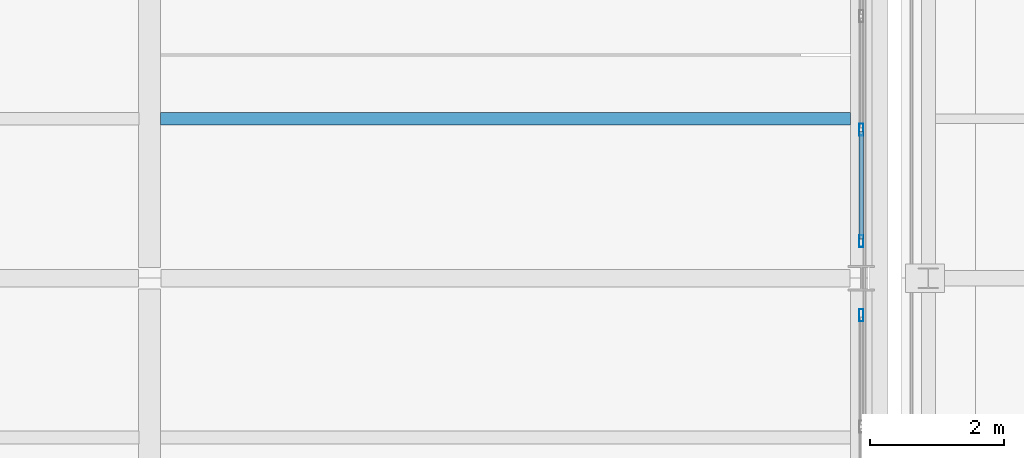
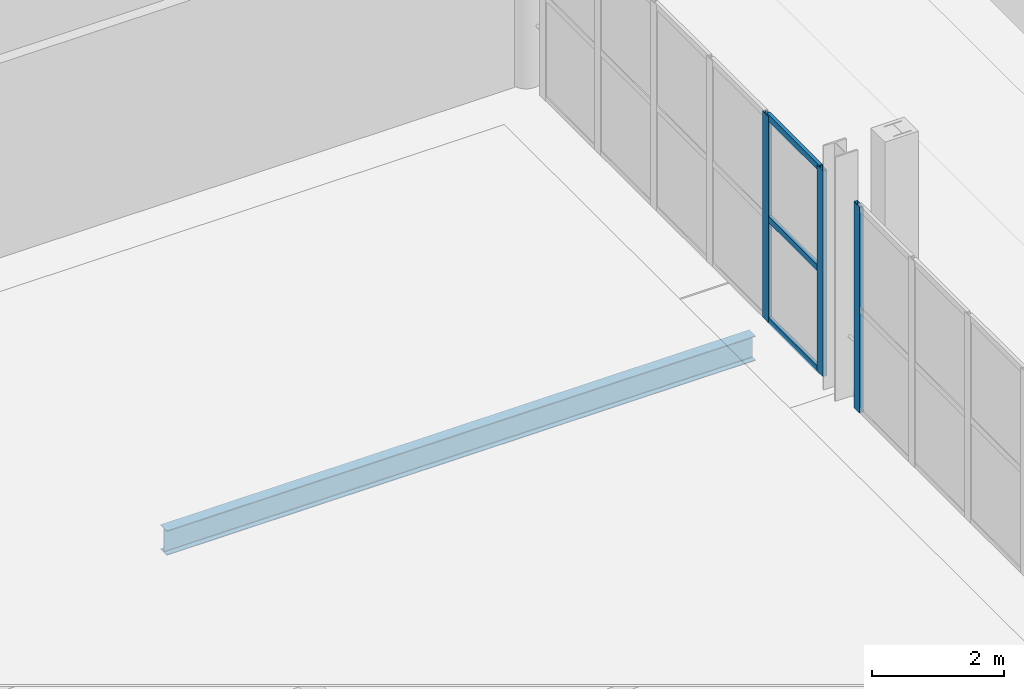
# One storey, part 90 of 156: 6 members, 1 beam, 2 elements without a shape of their own.
"""IFC4 building model written with IfcOpenShell, lengths in metres."""

from ifc_helpers import new_model, si_unit, direction, frame, origin, origin_2d, place, context, subcontext, project, spatial, hollow_rectangle, i_section, extrude, material, material_profile, profile_set, type_object, element, aggregate, save


model = new_model("IFC4")

# Units and contexts
model_context = context("Model", 3, precision=1e-05, world=origin(), true_north=direction((0.0, 1.0)))
body_context = subcontext(model_context, "Body", "Model", "MODEL_VIEW")
ifc_project = project(units=[si_unit("LENGTHUNIT", "METRE"), si_unit("AREAUNIT", "SQUARE_METRE"), si_unit("VOLUMEUNIT", "CUBIC_METRE"), si_unit("PLANEANGLEUNIT", "RADIAN"), si_unit("MASSUNIT", "GRAM", prefix="KILO")], contexts=[model_context])

# Site, building, storey
site_placement = place(None, origin())
site = spatial("IfcSite", under=ifc_project, at=site_placement, CompositionType="ELEMENT")
building_placement = place(site_placement, origin())
building = spatial("IfcBuilding", under=site, at=building_placement, Name="Caurita Quay Ferry Terminal", CompositionType="ELEMENT")
storey_placement = place(building_placement, frame((0.0, 0.0, 5.39990234375)))
storey = spatial("IfcBuildingStorey", under=building, at=storey_placement, Name="L01", CompositionType="ELEMENT", Elevation=5.39990234375)

# Beam
ifc_material_1 = material(Name="Structural steel ASTM A992 Gr. 50", Category="steel")
ifc_material_profile_1 = material_profile(ifc_material_1, i_section(OverallWidth=0.1904296875, OverallDepth=0.457275390625, WebThickness=0.009033203125, FlangeThickness=0.014404296875, FilletRadius=0.0126953125, at=origin_2d()), Name="W18X50")
ifc_profile_set_1 = profile_set([ifc_material_profile_1], Name="Structural steel ASTM A992 Gr. 50")
beam_type = type_object("IfcBeamType", Name="BM-JS-W18B", PredefinedType="JOIST", material=ifc_profile_set_1)
beam_placement = place(storey_placement, frame((121.362548828125, 55.574951171875, -0.528564453125), z_axis=(1.0, 0.0, 0.0), x_axis=(0.0, 1.0, 0.0)))
element("IfcBeam", 1, at=beam_placement, inside=storey, type_object=beam_type, Name="L01 Beam JS-V2-L01-037", PredefinedType="JOIST", context=body_context, shape_type="SweptSolid", body=[
    extrude(i_section(OverallWidth=0.1904296875, OverallDepth=0.457275390625, WebThickness=0.009033203125, FlangeThickness=0.014404296875, FilletRadius=0.0126953125, at=origin_2d()), origin(), (0.0, 0.0, 1.0), 10.27490234375),
])

# Curtain wall, member
ifc_material_2 = material(Name="Laminated solar-control insulated glass", Category="glass")
curtain_wall_type = type_object("IfcCurtainWallType", Name="CW-SYS-12", PredefinedType="NOTDEFINED", material=ifc_material_2)
curtain_wall_1_placement = place(storey_placement, origin())
curtain_wall_1 = element("IfcCurtainWall", 2, at=curtain_wall_1_placement, inside=storey, type_object=curtain_wall_type, Name="Concourse Gable Curtain Wall 087", PredefinedType="NOTDEFINED")
ifc_material_3 = material(Name="Anodized aluminium 6063-T6", Category="aluminium")
ifc_material_profile_2 = material_profile(ifc_material_3, hollow_rectangle(XDim=0.06494140625, YDim=0.179931640625, WallThickness=0.00390625, at=origin_2d()), Name="ALU-MUL-65X180")
ifc_profile_set_2 = profile_set([ifc_material_profile_2], Name="Anodized aluminium 6063-T6")
member_type_1 = type_object("IfcMemberType", Name="CW-MUL-180", PredefinedType="MULLION", material=ifc_profile_set_2)
member_1_placement = place(storey_placement, frame((131.800048828125, 52.6474609375, 0.0), z_axis=(0.0, 0.0, 1.0), x_axis=(-1.0, 0.0, 0.0)))
member_1 = element("IfcMember", 3, at=member_1_placement, type_object=member_type_1, Name="CW-GBL-087 Mullion 6", PredefinedType="MULLION", context=body_context, shape_type="SweptSolid", body=[
    extrude(hollow_rectangle(XDim=0.06494140625, YDim=0.179931640625, WallThickness=0.00390625, at=origin_2d()), origin(), (0.0, 0.0, 1.0), 3.800048828125),
])
aggregate(curtain_wall_1, [member_1])

# Curtain wall, members
curtain_wall_2_placement = place(storey_placement, origin())
curtain_wall_2 = element("IfcCurtainWall", 4, at=curtain_wall_2_placement, inside=storey, type_object=curtain_wall_type, Name="Concourse Gable Curtain Wall 088", PredefinedType="NOTDEFINED")
member_2_placement = place(storey_placement, frame((131.800048828125, 53.75244140625, 0.0), z_axis=(0.0, 0.0, 1.0), x_axis=(-1.0, 0.0, 0.0)))
member_2 = element("IfcMember", 5, at=member_2_placement, type_object=member_type_1, Name="CW-GBL-088 Mullion 1", PredefinedType="MULLION", context=body_context, shape_type="SweptSolid", body=[
    extrude(hollow_rectangle(XDim=0.06494140625, YDim=0.179931640625, WallThickness=0.00390625, at=origin_2d()), origin(), (0.0, 0.0, 1.0), 3.800048828125),
])
member_3_placement = place(storey_placement, frame((131.800048828125, 55.412109375, 0.0), z_axis=(0.0, 0.0, 1.0), x_axis=(-1.0, 0.0, 0.0)))
member_3 = element("IfcMember", 6, at=member_3_placement, type_object=member_type_1, Name="CW-GBL-088 Mullion 2", PredefinedType="MULLION", context=body_context, shape_type="SweptSolid", body=[
    extrude(hollow_rectangle(XDim=0.06494140625, YDim=0.179931640625, WallThickness=0.00390625, at=origin_2d()), origin(), (0.0, 0.0, 1.0), 3.800048828125),
])
ifc_material_profile_3 = material_profile(ifc_material_3, hollow_rectangle(XDim=0.06005859375, YDim=0.114990234375, WallThickness=0.00341796875, at=origin_2d()), Name="ALU-TRN-60X115")
ifc_profile_set_3 = profile_set([ifc_material_profile_3], Name="Anodized aluminium 6063-T6")
member_type_2 = type_object("IfcMemberType", Name="CW-TRN-115", PredefinedType="USERDEFINED", material=ifc_profile_set_3)
member_4_placement = place(storey_placement, frame((131.800048828125, 53.782958984375, 0.030029296875), z_axis=(0.0, 1.0, 0.0), x_axis=(-1.0, 0.0, 0.0)))
member_4 = element("IfcMember", 7, at=member_4_placement, type_object=member_type_2, Name="CW-GBL-088 Transom 1", ObjectType="TRANSOM", PredefinedType="USERDEFINED", context=body_context, shape_type="SweptSolid", body=[
    extrude(hollow_rectangle(XDim=0.06005859375, YDim=0.114990234375, WallThickness=0.00341796875, at=origin_2d()), origin(), (0.0, 0.0, 1.0), 1.5986328125),
])
member_5_placement = place(storey_placement, frame((131.800048828125, 53.782958984375, 1.900146484375), z_axis=(0.0, 1.0, 0.0), x_axis=(-1.0, 0.0, 0.0)))
member_5 = element("IfcMember", 8, at=member_5_placement, type_object=member_type_2, Name="CW-GBL-088 Transom 2", ObjectType="TRANSOM", PredefinedType="USERDEFINED", context=body_context, shape_type="SweptSolid", body=[
    extrude(hollow_rectangle(XDim=0.06005859375, YDim=0.114990234375, WallThickness=0.00341796875, at=origin_2d()), origin(), (0.0, 0.0, 1.0), 1.5986328125),
])
member_6_placement = place(storey_placement, frame((131.800048828125, 53.782958984375, 3.77001953125), z_axis=(0.0, 1.0, 0.0), x_axis=(-1.0, 0.0, 0.0)))
member_6 = element("IfcMember", 9, at=member_6_placement, type_object=member_type_2, Name="CW-GBL-088 Transom 3", ObjectType="TRANSOM", PredefinedType="USERDEFINED", context=body_context, shape_type="SweptSolid", body=[
    extrude(hollow_rectangle(XDim=0.06005859375, YDim=0.114990234375, WallThickness=0.00341796875, at=origin_2d()), origin(), (0.0, 0.0, 1.0), 1.5986328125),
])
aggregate(curtain_wall_2, [member_2, member_3, member_4, member_5, member_6])

save(model, "model.ifc")
